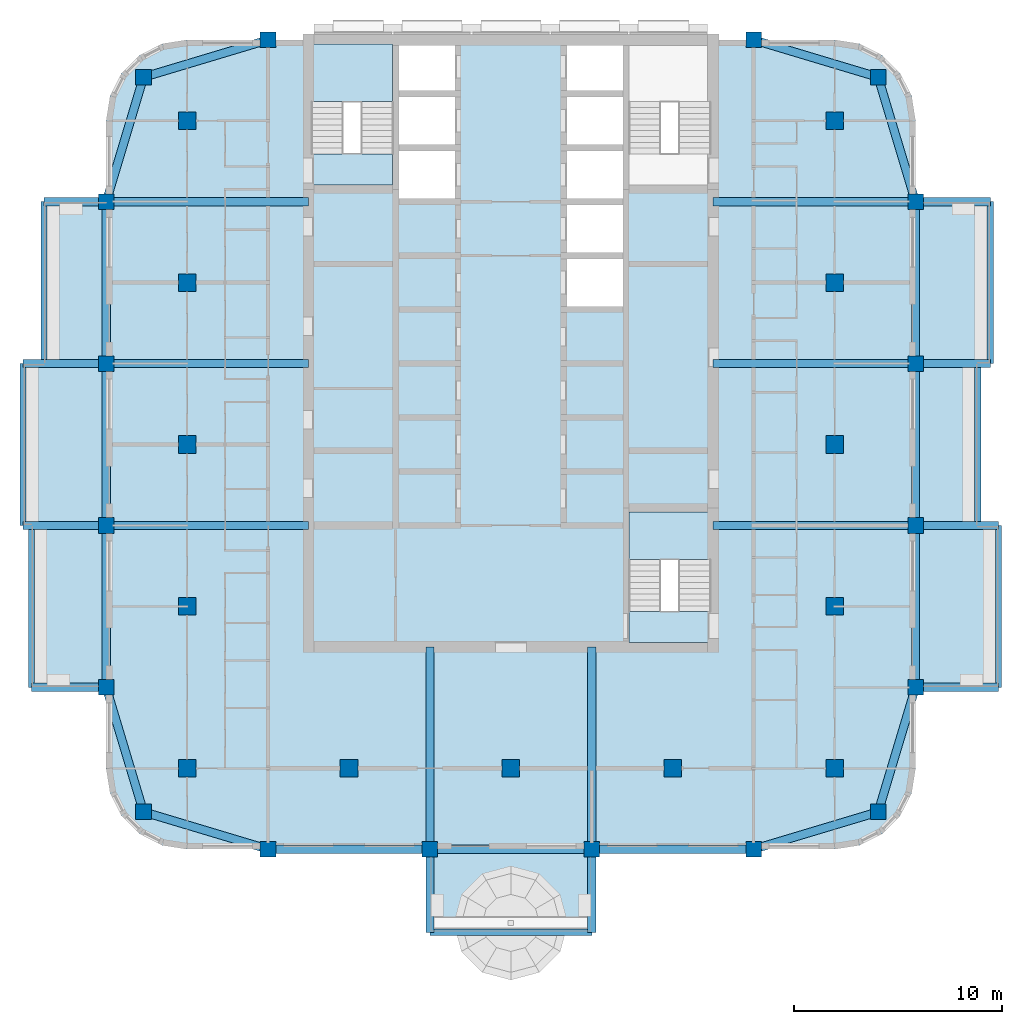
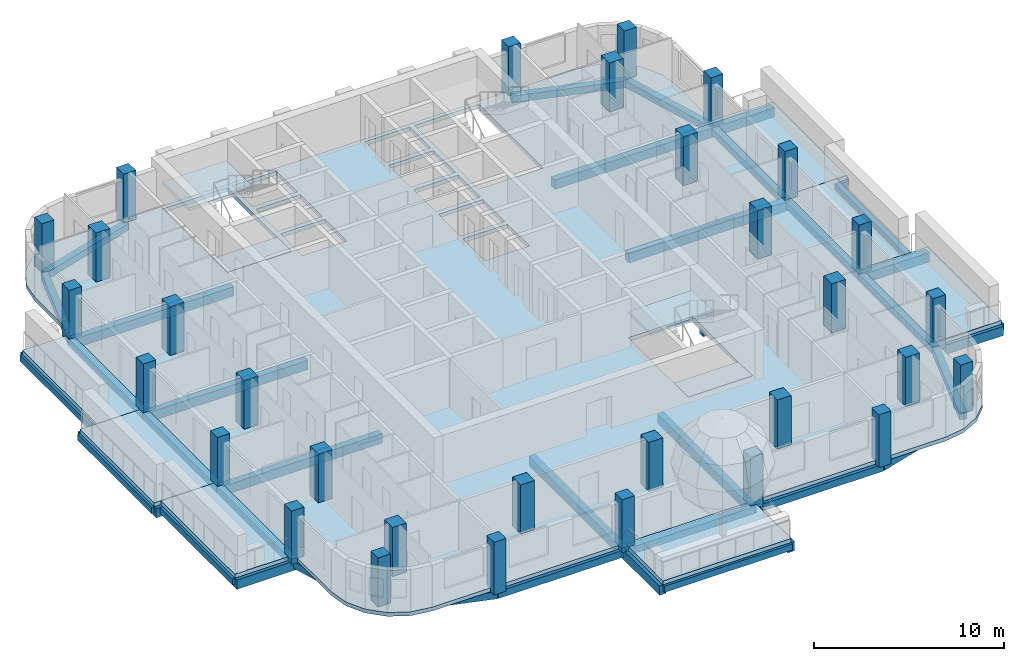
# One storey, part 1 of 14: 42 beams, 31 columns, 12 slabs, 2 elements without a shape of their own.
"""IFC4 building model written with IfcOpenShell, lengths in metres."""

from ifc_helpers import new_model, si_unit, direction, frame, origin, origin_2d, place, context, subcontext, project, spatial, polyline, rectangle, outline, extrude, material, layer, layer_set, material_profile, profile_set, type_object, element, aggregate, save


model = new_model("IFC4")

# Units and contexts
model_context = context("Model", 3, precision=1e-05, world=origin(), true_north=direction((0.0, 1.0)))
body_context = subcontext(model_context, "Body", "Model", "MODEL_VIEW")
ifc_project = project(units=[si_unit("LENGTHUNIT", "METRE"), si_unit("AREAUNIT", "SQUARE_METRE"), si_unit("VOLUMEUNIT", "CUBIC_METRE"), si_unit("PLANEANGLEUNIT", "RADIAN"), si_unit("MASSUNIT", "GRAM", prefix="KILO")], contexts=[model_context])

# Site, building, storey
site_placement = place(None, origin())
site = spatial("IfcSite", under=ifc_project, at=site_placement, CompositionType="ELEMENT")
building_placement = place(site_placement, origin())
building = spatial("IfcBuilding", under=site, at=building_placement, Name="Ludao Terraces", CompositionType="ELEMENT")
storey_placement = place(building_placement, frame((0.0, 0.0, 182.60009765625)))
storey = spatial("IfcBuildingStorey", under=building, at=storey_placement, Name="L49", CompositionType="ELEMENT", Elevation=182.60009765625)

# Columns
ifc_material_1 = material(Name="Concrete C45", Category="concrete")
ifc_material_profile_1 = material_profile(ifc_material_1, rectangle(XDim=0.75, YDim=0.75, at=origin_2d()), Name="750 X 750")
ifc_profile_set_1 = profile_set([ifc_material_profile_1], Name="Concrete C45")
column_type_1 = type_object("IfcColumnType", Name="RC column 750x750 C45", PredefinedType="COLUMN", material=ifc_profile_set_1)
for number, where, z_axis, x_axis, name in (
    (1, (67.300048828125, 47.300048828125, -0.25), (0.0, 0.0, 1.0), (1.0, 0.0, 0.0), "Column L49 C0057x0057"),
    (2, (102.699951171875, 47.300048828125, -0.25), (0.0, 0.0, 1.0), (1.0, 0.0, 0.0), "Column L49 C0411x0057"),
    (3, (67.300048828125, 82.699951171875, -0.25), (0.0, 0.0, 1.0), (1.0, 0.0, 0.0), "Column L49 C0057x0411"),
    (4, (102.699951171875, 82.699951171875, -0.25), (0.0, 0.0, 1.0), (1.0, 0.0, 0.0), "Column L49 C0411x0411"),
    (5, (65.5, 53.300048828125, -0.25), (0.0, 0.0, 1.0), (1.0, 0.0, 0.0), "Column L49 W0039x0117"),
    (6, (104.5, 53.300048828125, -0.25), (0.0, 0.0, 1.0), (1.0, 0.0, 0.0), "Column L49 W0429x0117"),
    (7, (73.300048828125, 45.5, -0.25), (0.0, 0.0, 1.0), (1.0, 0.0, 0.0), "Column L49 W0117x0039"),
    (8, (73.300048828125, 84.5, -0.25), (0.0, 0.0, 1.0), (1.0, 0.0, 0.0), "Column L49 W0117x0429"),
    (9, (65.5, 61.10009765625, -0.25), (0.0, 0.0, 1.0), (1.0, 0.0, 0.0), "Column L49 W0039x0195"),
    (10, (104.5, 61.10009765625, -0.25), (0.0, 0.0, 1.0), (1.0, 0.0, 0.0), "Column L49 W0429x0195"),
    (11, (81.10009765625, 45.5, -0.25), (0.0, 0.0, 1.0), (1.0, 0.0, 0.0), "Column L49 W0195x0039"),
    (12, (65.5, 68.89990234375, -0.25), (0.0, 0.0, 1.0), (1.0, 0.0, 0.0), "Column L49 W0039x0273"),
    (13, (104.5, 68.89990234375, -0.25), (0.0, 0.0, 1.0), (1.0, 0.0, 0.0), "Column L49 W0429x0273"),
    (14, (88.89990234375, 45.5, -0.25), (0.0, 0.0, 1.0), (1.0, 0.0, 0.0), "Column L49 W0273x0039"),
    (15, (65.5, 76.699951171875, -0.25), (0.0, 0.0, 1.0), (1.0, 0.0, 0.0), "Column L49 W0039x0351"),
    (16, (104.5, 76.699951171875, -0.25), (0.0, 0.0, 1.0), (1.0, 0.0, 0.0), "Column L49 W0429x0351"),
    (17, (96.699951171875, 45.5, -0.25), (0.0, 0.0, 1.0), (1.0, 0.0, 0.0), "Column L49 W0351x0039"),
    (18, (96.699951171875, 84.5, -0.25), (0.0, 0.0, 1.0), (1.0, 0.0, 0.0), "Column L49 W0351x0429"),
):
    element("IfcColumn", number, at=place(storey_placement, frame(where, z_axis=z_axis, x_axis=x_axis)), inside=storey, type_object=column_type_1, Name=name, PredefinedType="COLUMN", context=body_context, shape_type="SweptSolid", body=[
        extrude(rectangle(XDim=0.75, YDim=0.75, at=origin_2d()), origin(), (0.0, 0.0, 1.0), 3.39990234375),
    ])
ifc_material_profile_2 = material_profile(ifc_material_1, rectangle(XDim=0.85009765625, YDim=0.85009765625, at=origin_2d()), Name="850 X 850")
ifc_profile_set_2 = profile_set([ifc_material_profile_2], Name="Concrete C45")
column_type_2 = type_object("IfcColumnType", Name="RC column 850x850 C45", PredefinedType="COLUMN", material=ifc_profile_set_2)
for number, where, z_axis, x_axis, name in (
    (19, (69.39990234375, 49.39990234375, -0.25), (0.0, 0.0, 1.0), (1.0, 0.0, 0.0), "Column L49 S0078x0078"),
    (20, (69.39990234375, 57.199951171875, -0.25), (0.0, 0.0, 1.0), (1.0, 0.0, 0.0), "Column L49 S0078x0156"),
    (21, (69.39990234375, 65.0, -0.25), (0.0, 0.0, 1.0), (1.0, 0.0, 0.0), "Column L49 S0078x0234"),
    (22, (69.39990234375, 72.800048828125, -0.25), (0.0, 0.0, 1.0), (1.0, 0.0, 0.0), "Column L49 S0078x0312"),
    (23, (69.39990234375, 80.60009765625, -0.25), (0.0, 0.0, 1.0), (1.0, 0.0, 0.0), "Column L49 S0078x0390"),
    (24, (77.199951171875, 49.39990234375, -0.25), (0.0, 0.0, 1.0), (1.0, 0.0, 0.0), "Column L49 S0156x0078"),
    (25, (85.0, 49.39990234375, -0.25), (0.0, 0.0, 1.0), (1.0, 0.0, 0.0), "Column L49 S0234x0078"),
    (26, (92.800048828125, 49.39990234375, -0.25), (0.0, 0.0, 1.0), (1.0, 0.0, 0.0), "Column L49 S0312x0078"),
    (27, (100.60009765625, 49.39990234375, -0.25), (0.0, 0.0, 1.0), (1.0, 0.0, 0.0), "Column L49 S0390x0078"),
    (28, (100.60009765625, 57.199951171875, -0.25), (0.0, 0.0, 1.0), (1.0, 0.0, 0.0), "Column L49 S0390x0156"),
    (29, (100.60009765625, 65.0, -0.25), (0.0, 0.0, 1.0), (1.0, 0.0, 0.0), "Column L49 S0390x0234"),
    (30, (100.60009765625, 72.800048828125, -0.25), (0.0, 0.0, 1.0), (1.0, 0.0, 0.0), "Column L49 S0390x0312"),
    (31, (100.60009765625, 80.60009765625, -0.25), (0.0, 0.0, 1.0), (1.0, 0.0, 0.0), "Column L49 S0390x0390"),
):
    element("IfcColumn", number, at=place(storey_placement, frame(where, z_axis=z_axis, x_axis=x_axis)), inside=storey, type_object=column_type_2, Name=name, PredefinedType="COLUMN", context=body_context, shape_type="SweptSolid", body=[
        extrude(rectangle(XDim=0.85009765625, YDim=0.85009765625, at=origin_2d()), origin(), (0.0, 0.0, 1.0), 3.39990234375),
    ])

# Beams
ifc_material_2 = material(Name="Concrete C40", Category="concrete")
ifc_material_profile_3 = material_profile(ifc_material_2, rectangle(XDim=0.300048828125, YDim=0.39990234375, at=origin_2d()), Name="300 X 400")
ifc_profile_set_3 = profile_set([ifc_material_profile_3], Name="Concrete C40")
beam_type_1 = type_object("IfcBeamType", Name="RC beam 300x400 C40", PredefinedType="BEAM", material=ifc_profile_set_3)
beam_1_placement = place(storey_placement, frame((81.10009765625, 41.5, -0.4501953125), z_axis=(1.0, 0.0, 0.0), x_axis=(0.0, 1.0, 0.0)))
element("IfcBeam", 32, at=beam_1_placement, inside=storey, type_object=beam_type_1, Name="Balcony edge beam L49 S1", PredefinedType="BEAM", context=body_context, shape_type="SweptSolid", body=[
    extrude(rectangle(XDim=0.300048828125, YDim=0.39990234375, at=origin_2d()), origin(), (0.0, 0.0, 1.0), 7.7998046875),
])
beam_2_placement = place(storey_placement, frame((108.5, 53.300048828125, -0.4501953125), z_axis=(0.0, 1.0, 0.0), x_axis=(-1.0, 0.0, 0.0)))
element("IfcBeam", 33, at=beam_2_placement, inside=storey, type_object=beam_type_1, Name="Balcony edge beam L49 E1", PredefinedType="BEAM", context=body_context, shape_type="SweptSolid", body=[
    extrude(rectangle(XDim=0.300048828125, YDim=0.39990234375, at=origin_2d()), origin(), (0.0, 0.0, 1.0), 7.800048828125),
])
beam_3_placement = place(storey_placement, frame((107.5, 61.10009765625, -0.4501953125), z_axis=(0.0, 1.0, 0.0), x_axis=(-1.0, 0.0, 0.0)))
element("IfcBeam", 34, at=beam_3_placement, inside=storey, type_object=beam_type_1, Name="Balcony edge beam L49 E2", PredefinedType="BEAM", context=body_context, shape_type="SweptSolid", body=[
    extrude(rectangle(XDim=0.300048828125, YDim=0.39990234375, at=origin_2d()), origin(), (0.0, 0.0, 1.0), 7.7998046875),
])
for number, where, z_axis, x_axis, name in (
    (35, (108.10009765625, 68.89990234375, -0.4501953125), (0.0, 1.0, 0.0), (-1.0, 0.0, 0.0), "Balcony edge beam L49 E3"),
    (36, (61.89990234375, 53.300048828125, -0.4501953125), (0.0, 1.0, 0.0), (-1.0, 0.0, 0.0), "Balcony edge beam L49 W1"),
):
    element("IfcBeam", number, at=place(storey_placement, frame(where, z_axis=z_axis, x_axis=x_axis)), inside=storey, type_object=beam_type_1, Name=name, PredefinedType="BEAM", context=body_context, shape_type="SweptSolid", body=[
        extrude(rectangle(XDim=0.300048828125, YDim=0.39990234375, at=origin_2d()), origin(), (0.0, 0.0, 1.0), 7.800048828125),
    ])
beam_4_placement = place(storey_placement, frame((61.5, 61.10009765625, -0.4501953125), z_axis=(0.0, 1.0, 0.0), x_axis=(-1.0, 0.0, 0.0)))
element("IfcBeam", 37, at=beam_4_placement, inside=storey, type_object=beam_type_1, Name="Balcony edge beam L49 W2", PredefinedType="BEAM", context=body_context, shape_type="SweptSolid", body=[
    extrude(rectangle(XDim=0.300048828125, YDim=0.39990234375, at=origin_2d()), origin(), (0.0, 0.0, 1.0), 7.7998046875),
])
beam_5_placement = place(storey_placement, frame((62.5, 68.89990234375, -0.4501953125), z_axis=(0.0, 1.0, 0.0), x_axis=(-1.0, 0.0, 0.0)))
element("IfcBeam", 38, at=beam_5_placement, inside=storey, type_object=beam_type_1, Name="Balcony edge beam L49 W3", PredefinedType="BEAM", context=body_context, shape_type="SweptSolid", body=[
    extrude(rectangle(XDim=0.300048828125, YDim=0.39990234375, at=origin_2d()), origin(), (0.0, 0.0, 1.0), 7.800048828125),
])
ifc_material_profile_4 = material_profile(ifc_material_2, rectangle(XDim=0.39990234375, YDim=0.449951171875, at=origin_2d()), Name="400 X 450")
ifc_profile_set_4 = profile_set([ifc_material_profile_4], Name="Concrete C40")
beam_type_2 = type_object("IfcBeamType", Name="RC beam 400x450 C40", PredefinedType="BEAM", material=ifc_profile_set_4)
beam_6_placement = place(storey_placement, frame((67.300048828125, 47.300048828125, -0.47509765625), z_axis=(0.957824139839, -0.287355036744, 0.0), x_axis=(0.287355036744, 0.957824139839, 0.0)))
element("IfcBeam", 39, at=beam_6_placement, inside=storey, type_object=beam_type_2, Name="Spandrel beam L49 S1", PredefinedType="BEAM", context=body_context, shape_type="SweptSolid", body=[
    extrude(rectangle(XDim=0.39990234375, YDim=0.449951171875, at=origin_2d()), origin(), (0.0, 0.0, 1.0), 6.26416015625),
])
beam_7_placement = place(storey_placement, frame((73.300048828125, 45.5, -0.47509765625), z_axis=(1.0, 0.0, 0.0), x_axis=(0.0, 1.0, 0.0)))
element("IfcBeam", 40, at=beam_7_placement, inside=storey, type_object=beam_type_2, Name="Spandrel beam L49 S2", PredefinedType="BEAM", context=body_context, shape_type="SweptSolid", body=[
    extrude(rectangle(XDim=0.39990234375, YDim=0.449951171875, at=origin_2d()), origin(), (0.0, 0.0, 1.0), 7.800048828125),
])
beam_8_placement = place(storey_placement, frame((81.10009765625, 45.5, -0.47509765625), z_axis=(1.0, 0.0, 0.0), x_axis=(0.0, 1.0, 0.0)))
element("IfcBeam", 41, at=beam_8_placement, inside=storey, type_object=beam_type_2, Name="Spandrel beam L49 S3", PredefinedType="BEAM", context=body_context, shape_type="SweptSolid", body=[
    extrude(rectangle(XDim=0.39990234375, YDim=0.449951171875, at=origin_2d()), origin(), (0.0, 0.0, 1.0), 7.7998046875),
])
beam_9_placement = place(storey_placement, frame((88.89990234375, 45.5, -0.47509765625), z_axis=(1.0, 0.0, 0.0), x_axis=(0.0, 1.0, 0.0)))
element("IfcBeam", 42, at=beam_9_placement, inside=storey, type_object=beam_type_2, Name="Spandrel beam L49 S4", PredefinedType="BEAM", context=body_context, shape_type="SweptSolid", body=[
    extrude(rectangle(XDim=0.39990234375, YDim=0.449951171875, at=origin_2d()), origin(), (0.0, 0.0, 1.0), 7.800048828125),
])
for number, where, z_axis, x_axis, name in (
    (43, (96.699951171875, 45.5, -0.47509765625), (0.957824139839, 0.287355036744, 0.0), (-0.287355036744, 0.957824139839, 0.0), "Spandrel beam L49 S5"),
    (44, (67.300048828125, 82.699951171875, -0.47509765625), (0.957824139839, 0.287355036744, 0.0), (-0.287355036744, 0.957824139839, 0.0), "Spandrel beam L49 N6"),
    (45, (96.699951171875, 84.5, -0.47509765625), (0.957824139839, -0.287355036744, 0.0), (0.287355036744, 0.957824139839, 0.0), "Spandrel beam L49 N7"),
    (46, (67.300048828125, 47.300048828125, -0.47509765625), (-0.287355036744, 0.957824139839, 0.0), (-0.957824139839, -0.287355036744, 0.0), "Spandrel beam L49 W8"),
):
    element("IfcBeam", number, at=place(storey_placement, frame(where, z_axis=z_axis, x_axis=x_axis)), inside=storey, type_object=beam_type_2, Name=name, PredefinedType="BEAM", context=body_context, shape_type="SweptSolid", body=[
        extrude(rectangle(XDim=0.39990234375, YDim=0.449951171875, at=origin_2d()), origin(), (0.0, 0.0, 1.0), 6.26416015625),
    ])
beam_10_placement = place(storey_placement, frame((65.5, 53.300048828125, -0.47509765625), z_axis=(0.0, 1.0, 0.0), x_axis=(-1.0, 0.0, 0.0)))
element("IfcBeam", 47, at=beam_10_placement, inside=storey, type_object=beam_type_2, Name="Spandrel beam L49 W9", PredefinedType="BEAM", context=body_context, shape_type="SweptSolid", body=[
    extrude(rectangle(XDim=0.39990234375, YDim=0.449951171875, at=origin_2d()), origin(), (0.0, 0.0, 1.0), 7.800048828125),
])
beam_11_placement = place(storey_placement, frame((65.5, 61.10009765625, -0.47509765625), z_axis=(0.0, 1.0, 0.0), x_axis=(-1.0, 0.0, 0.0)))
element("IfcBeam", 48, at=beam_11_placement, inside=storey, type_object=beam_type_2, Name="Spandrel beam L49 W10", PredefinedType="BEAM", context=body_context, shape_type="SweptSolid", body=[
    extrude(rectangle(XDim=0.39990234375, YDim=0.449951171875, at=origin_2d()), origin(), (0.0, 0.0, 1.0), 7.7998046875),
])
beam_12_placement = place(storey_placement, frame((65.5, 68.89990234375, -0.47509765625), z_axis=(0.0, 1.0, 0.0), x_axis=(-1.0, 0.0, 0.0)))
element("IfcBeam", 49, at=beam_12_placement, inside=storey, type_object=beam_type_2, Name="Spandrel beam L49 W11", PredefinedType="BEAM", context=body_context, shape_type="SweptSolid", body=[
    extrude(rectangle(XDim=0.39990234375, YDim=0.449951171875, at=origin_2d()), origin(), (0.0, 0.0, 1.0), 7.800048828125),
])
for number, where, z_axis, x_axis, name in (
    (50, (65.5, 76.699951171875, -0.47509765625), (0.287355036744, 0.957824139839, 0.0), (-0.957824139839, 0.287355036744, 0.0), "Spandrel beam L49 W12"),
    (51, (102.699951171875, 47.300048828125, -0.47509765625), (0.287355036744, 0.957824139839, 0.0), (-0.957824139839, 0.287355036744, 0.0), "Spandrel beam L49 E13"),
):
    element("IfcBeam", number, at=place(storey_placement, frame(where, z_axis=z_axis, x_axis=x_axis)), inside=storey, type_object=beam_type_2, Name=name, PredefinedType="BEAM", context=body_context, shape_type="SweptSolid", body=[
        extrude(rectangle(XDim=0.39990234375, YDim=0.449951171875, at=origin_2d()), origin(), (0.0, 0.0, 1.0), 6.26416015625),
    ])
beam_13_placement = place(storey_placement, frame((104.5, 53.300048828125, -0.47509765625), z_axis=(0.0, 1.0, 0.0), x_axis=(-1.0, 0.0, 0.0)))
element("IfcBeam", 52, at=beam_13_placement, inside=storey, type_object=beam_type_2, Name="Spandrel beam L49 E14", PredefinedType="BEAM", context=body_context, shape_type="SweptSolid", body=[
    extrude(rectangle(XDim=0.39990234375, YDim=0.449951171875, at=origin_2d()), origin(), (0.0, 0.0, 1.0), 7.800048828125),
])
beam_14_placement = place(storey_placement, frame((104.5, 61.10009765625, -0.47509765625), z_axis=(0.0, 1.0, 0.0), x_axis=(-1.0, 0.0, 0.0)))
element("IfcBeam", 53, at=beam_14_placement, inside=storey, type_object=beam_type_2, Name="Spandrel beam L49 E15", PredefinedType="BEAM", context=body_context, shape_type="SweptSolid", body=[
    extrude(rectangle(XDim=0.39990234375, YDim=0.449951171875, at=origin_2d()), origin(), (0.0, 0.0, 1.0), 7.7998046875),
])
beam_15_placement = place(storey_placement, frame((104.5, 68.89990234375, -0.47509765625), z_axis=(0.0, 1.0, 0.0), x_axis=(-1.0, 0.0, 0.0)))
element("IfcBeam", 54, at=beam_15_placement, inside=storey, type_object=beam_type_2, Name="Spandrel beam L49 E16", PredefinedType="BEAM", context=body_context, shape_type="SweptSolid", body=[
    extrude(rectangle(XDim=0.39990234375, YDim=0.449951171875, at=origin_2d()), origin(), (0.0, 0.0, 1.0), 7.800048828125),
])
beam_16_placement = place(storey_placement, frame((104.5, 76.699951171875, -0.47509765625), z_axis=(-0.287355036744, 0.957824139839, 0.0), x_axis=(-0.957824139839, -0.287355036744, 0.0)))
element("IfcBeam", 55, at=beam_16_placement, inside=storey, type_object=beam_type_2, Name="Spandrel beam L49 E17", PredefinedType="BEAM", context=body_context, shape_type="SweptSolid", body=[
    extrude(rectangle(XDim=0.39990234375, YDim=0.449951171875, at=origin_2d()), origin(), (0.0, 0.0, 1.0), 6.26416015625),
])
ifc_material_profile_5 = material_profile(ifc_material_2, rectangle(XDim=0.39990234375, YDim=0.60009765625, at=origin_2d()), Name="400 X 600")
ifc_profile_set_5 = profile_set([ifc_material_profile_5], Name="Concrete C40")
beam_type_3 = type_object("IfcBeamType", Name="RC beam 400x600 C40", PredefinedType="BEAM", material=ifc_profile_set_5)
beam_17_placement = place(storey_placement, frame((104.5, 53.300048828125, -0.550048828125), z_axis=(1.0, 0.0, 0.0), x_axis=(0.0, 1.0, 0.0)))
element("IfcBeam", 56, at=beam_17_placement, inside=storey, type_object=beam_type_3, Name="Balcony beam L49 E533", PredefinedType="BEAM", context=body_context, shape_type="SweptSolid", body=[
    extrude(rectangle(XDim=0.39990234375, YDim=0.60009765625, at=origin_2d()), origin(), (0.0, 0.0, 1.0), 4.0),
])
beam_18_placement = place(storey_placement, frame((94.75, 61.10009765625, -0.550048828125), z_axis=(1.0, 0.0, 0.0), x_axis=(0.0, 1.0, 0.0)))
element("IfcBeam", 57, at=beam_18_placement, inside=storey, type_object=beam_type_3, Name="Balcony beam L49 E611", PredefinedType="BEAM", context=body_context, shape_type="SweptSolid", body=[
    extrude(rectangle(XDim=0.39990234375, YDim=0.60009765625, at=origin_2d()), origin(), (0.0, 0.0, 1.0), 9.75),
])
beam_19_placement = place(storey_placement, frame((104.5, 61.10009765625, -0.550048828125), z_axis=(1.0, 0.0, 0.0), x_axis=(0.0, 1.0, 0.0)))
element("IfcBeam", 58, at=beam_19_placement, inside=storey, type_object=beam_type_3, Name="Balcony beam L49 E611", PredefinedType="BEAM", context=body_context, shape_type="SweptSolid", body=[
    extrude(rectangle(XDim=0.39990234375, YDim=0.60009765625, at=origin_2d()), origin(), (0.0, 0.0, 1.0), 4.0),
])
beam_20_placement = place(storey_placement, frame((94.75, 68.89990234375, -0.550048828125), z_axis=(1.0, 0.0, 0.0), x_axis=(0.0, 1.0, 0.0)))
element("IfcBeam", 59, at=beam_20_placement, inside=storey, type_object=beam_type_3, Name="Balcony beam L49 E689", PredefinedType="BEAM", context=body_context, shape_type="SweptSolid", body=[
    extrude(rectangle(XDim=0.39990234375, YDim=0.60009765625, at=origin_2d()), origin(), (0.0, 0.0, 1.0), 9.75),
])
beam_21_placement = place(storey_placement, frame((104.5, 68.89990234375, -0.550048828125), z_axis=(1.0, 0.0, 0.0), x_axis=(0.0, 1.0, 0.0)))
element("IfcBeam", 60, at=beam_21_placement, inside=storey, type_object=beam_type_3, Name="Balcony beam L49 E689", PredefinedType="BEAM", context=body_context, shape_type="SweptSolid", body=[
    extrude(rectangle(XDim=0.39990234375, YDim=0.60009765625, at=origin_2d()), origin(), (0.0, 0.0, 1.0), 3.60009765625),
])
beam_22_placement = place(storey_placement, frame((94.75, 76.699951171875, -0.550048828125), z_axis=(1.0, 0.0, 0.0), x_axis=(0.0, 1.0, 0.0)))
element("IfcBeam", 61, at=beam_22_placement, inside=storey, type_object=beam_type_3, Name="Balcony beam L49 E767", PredefinedType="BEAM", context=body_context, shape_type="SweptSolid", body=[
    extrude(rectangle(XDim=0.39990234375, YDim=0.60009765625, at=origin_2d()), origin(), (0.0, 0.0, 1.0), 9.75),
])
beam_23_placement = place(storey_placement, frame((104.5, 76.699951171875, -0.550048828125), z_axis=(1.0, 0.0, 0.0), x_axis=(0.0, 1.0, 0.0)))
element("IfcBeam", 62, at=beam_23_placement, inside=storey, type_object=beam_type_3, Name="Balcony beam L49 E767", PredefinedType="BEAM", context=body_context, shape_type="SweptSolid", body=[
    extrude(rectangle(XDim=0.39990234375, YDim=0.60009765625, at=origin_2d()), origin(), (0.0, 0.0, 1.0), 3.60009765625),
])
beam_24_placement = place(storey_placement, frame((81.10009765625, 55.25, -0.550048828125), z_axis=(0.0, -1.0, 0.0), x_axis=(1.0, 0.0, 0.0)))
element("IfcBeam", 63, at=beam_24_placement, inside=storey, type_object=beam_type_3, Name="Balcony beam L49 S811", PredefinedType="BEAM", context=body_context, shape_type="SweptSolid", body=[
    extrude(rectangle(XDim=0.39990234375, YDim=0.60009765625, at=origin_2d()), origin(), (0.0, 0.0, 1.0), 9.75),
])
beam_25_placement = place(storey_placement, frame((81.10009765625, 45.5, -0.550048828125), z_axis=(0.0, -1.0, 0.0), x_axis=(1.0, 0.0, 0.0)))
element("IfcBeam", 64, at=beam_25_placement, inside=storey, type_object=beam_type_3, Name="Balcony beam L49 S811", PredefinedType="BEAM", context=body_context, shape_type="SweptSolid", body=[
    extrude(rectangle(XDim=0.39990234375, YDim=0.60009765625, at=origin_2d()), origin(), (0.0, 0.0, 1.0), 4.0),
])
beam_26_placement = place(storey_placement, frame((88.89990234375, 55.25, -0.550048828125), z_axis=(0.0, -1.0, 0.0), x_axis=(1.0, 0.0, 0.0)))
element("IfcBeam", 65, at=beam_26_placement, inside=storey, type_object=beam_type_3, Name="Balcony beam L49 S889", PredefinedType="BEAM", context=body_context, shape_type="SweptSolid", body=[
    extrude(rectangle(XDim=0.39990234375, YDim=0.60009765625, at=origin_2d()), origin(), (0.0, 0.0, 1.0), 9.75),
])
beam_27_placement = place(storey_placement, frame((88.89990234375, 45.5, -0.550048828125), z_axis=(0.0, -1.0, 0.0), x_axis=(1.0, 0.0, 0.0)))
element("IfcBeam", 66, at=beam_27_placement, inside=storey, type_object=beam_type_3, Name="Balcony beam L49 S889", PredefinedType="BEAM", context=body_context, shape_type="SweptSolid", body=[
    extrude(rectangle(XDim=0.39990234375, YDim=0.60009765625, at=origin_2d()), origin(), (0.0, 0.0, 1.0), 4.0),
])
beam_28_placement = place(storey_placement, frame((65.5, 53.300048828125, -0.550048828125), z_axis=(-1.0, 0.0, 0.0), x_axis=(0.0, -1.0, 0.0)))
element("IfcBeam", 67, at=beam_28_placement, inside=storey, type_object=beam_type_3, Name="Balcony beam L49 W533", PredefinedType="BEAM", context=body_context, shape_type="SweptSolid", body=[
    extrude(rectangle(XDim=0.39990234375, YDim=0.60009765625, at=origin_2d()), origin(), (0.0, 0.0, 1.0), 3.60009765625),
])
beam_29_placement = place(storey_placement, frame((75.25, 61.10009765625, -0.550048828125), z_axis=(-1.0, 0.0, 0.0), x_axis=(0.0, -1.0, 0.0)))
element("IfcBeam", 68, at=beam_29_placement, inside=storey, type_object=beam_type_3, Name="Balcony beam L49 W611", PredefinedType="BEAM", context=body_context, shape_type="SweptSolid", body=[
    extrude(rectangle(XDim=0.39990234375, YDim=0.60009765625, at=origin_2d()), origin(), (0.0, 0.0, 1.0), 9.75),
])
beam_30_placement = place(storey_placement, frame((65.5, 61.10009765625, -0.550048828125), z_axis=(-1.0, 0.0, 0.0), x_axis=(0.0, -1.0, 0.0)))
element("IfcBeam", 69, at=beam_30_placement, inside=storey, type_object=beam_type_3, Name="Balcony beam L49 W611", PredefinedType="BEAM", context=body_context, shape_type="SweptSolid", body=[
    extrude(rectangle(XDim=0.39990234375, YDim=0.60009765625, at=origin_2d()), origin(), (0.0, 0.0, 1.0), 4.0),
])
beam_31_placement = place(storey_placement, frame((75.25, 68.89990234375, -0.550048828125), z_axis=(-1.0, 0.0, 0.0), x_axis=(0.0, -1.0, 0.0)))
element("IfcBeam", 70, at=beam_31_placement, inside=storey, type_object=beam_type_3, Name="Balcony beam L49 W689", PredefinedType="BEAM", context=body_context, shape_type="SweptSolid", body=[
    extrude(rectangle(XDim=0.39990234375, YDim=0.60009765625, at=origin_2d()), origin(), (0.0, 0.0, 1.0), 9.75),
])
beam_32_placement = place(storey_placement, frame((65.5, 68.89990234375, -0.550048828125), z_axis=(-1.0, 0.0, 0.0), x_axis=(0.0, -1.0, 0.0)))
element("IfcBeam", 71, at=beam_32_placement, inside=storey, type_object=beam_type_3, Name="Balcony beam L49 W689", PredefinedType="BEAM", context=body_context, shape_type="SweptSolid", body=[
    extrude(rectangle(XDim=0.39990234375, YDim=0.60009765625, at=origin_2d()), origin(), (0.0, 0.0, 1.0), 4.0),
])
beam_33_placement = place(storey_placement, frame((75.25, 76.699951171875, -0.550048828125), z_axis=(-1.0, 0.0, 0.0), x_axis=(0.0, -1.0, 0.0)))
element("IfcBeam", 72, at=beam_33_placement, inside=storey, type_object=beam_type_3, Name="Balcony beam L49 W767", PredefinedType="BEAM", context=body_context, shape_type="SweptSolid", body=[
    extrude(rectangle(XDim=0.39990234375, YDim=0.60009765625, at=origin_2d()), origin(), (0.0, 0.0, 1.0), 9.75),
])
beam_34_placement = place(storey_placement, frame((65.5, 76.699951171875, -0.550048828125), z_axis=(-1.0, 0.0, 0.0), x_axis=(0.0, -1.0, 0.0)))
element("IfcBeam", 73, at=beam_34_placement, inside=storey, type_object=beam_type_3, Name="Balcony beam L49 W767", PredefinedType="BEAM", context=body_context, shape_type="SweptSolid", body=[
    extrude(rectangle(XDim=0.39990234375, YDim=0.60009765625, at=origin_2d()), origin(), (0.0, 0.0, 1.0), 3.0),
])

# Slabs
ifc_layer_1 = layer(ifc_material_2, 0.25)
ifc_layer_set_1 = layer_set([ifc_layer_1], Name="Balcony slab 250 C40")
slab_type_1 = type_object("IfcSlabType", Name="Balcony slab 250 C40", PredefinedType="USERDEFINED", material=ifc_layer_set_1)
slab_1_placement = place(storey_placement, frame((0.0, 0.0, -0.25)))
element("IfcSlab", 74, at=slab_1_placement, inside=storey, type_object=slab_type_1, Name="Balcony L49 S1", ObjectType="BALCONY", PredefinedType="USERDEFINED", context=body_context, shape_type="SweptSolid", body=[
    extrude(outline(polyline([(81.10009765625, 41.5), (88.89990234375, 41.5), (88.89990234375, 45.5), (81.10009765625, 45.5), (81.10009765625, 41.5)])), origin(), (0.0, 0.0, 1.0), 0.25),
])
slab_2_placement = place(storey_placement, frame((0.0, 0.0, -0.25)))
element("IfcSlab", 75, at=slab_2_placement, inside=storey, type_object=slab_type_1, Name="Balcony L49 E1", ObjectType="BALCONY", PredefinedType="USERDEFINED", context=body_context, shape_type="SweptSolid", body=[
    extrude(outline(polyline([(104.5, 53.300048828125), (108.5, 53.300048828125), (108.5, 61.10009765625), (104.5, 61.10009765625), (104.5, 53.300048828125)])), origin(), (0.0, 0.0, 1.0), 0.25),
])
slab_3_placement = place(storey_placement, frame((0.0, 0.0, -0.25)))
element("IfcSlab", 76, at=slab_3_placement, inside=storey, type_object=slab_type_1, Name="Balcony L49 E2", ObjectType="BALCONY", PredefinedType="USERDEFINED", context=body_context, shape_type="SweptSolid", body=[
    extrude(outline(polyline([(104.5, 61.10009765625), (107.5, 61.10009765625), (107.5, 68.89990234375), (104.5, 68.89990234375), (104.5, 61.10009765625)])), origin(), (0.0, 0.0, 1.0), 0.25),
])
slab_4_placement = place(storey_placement, frame((0.0, 0.0, -0.25)))
element("IfcSlab", 77, at=slab_4_placement, inside=storey, type_object=slab_type_1, Name="Balcony L49 E3", ObjectType="BALCONY", PredefinedType="USERDEFINED", context=body_context, shape_type="SweptSolid", body=[
    extrude(outline(polyline([(104.5, 68.89990234375), (108.10009765625, 68.89990234375), (108.10009765625, 76.699951171875), (104.5, 76.699951171875), (104.5, 68.89990234375)])), origin(), (0.0, 0.0, 1.0), 0.25),
])
slab_5_placement = place(storey_placement, frame((0.0, 0.0, -0.25)))
element("IfcSlab", 78, at=slab_5_placement, inside=storey, type_object=slab_type_1, Name="Balcony L49 W1", ObjectType="BALCONY", PredefinedType="USERDEFINED", context=body_context, shape_type="SweptSolid", body=[
    extrude(outline(polyline([(61.89990234375, 53.300048828125), (65.5, 53.300048828125), (65.5, 61.10009765625), (61.89990234375, 61.10009765625), (61.89990234375, 53.300048828125)])), origin(), (0.0, 0.0, 1.0), 0.25),
])
slab_6_placement = place(storey_placement, frame((0.0, 0.0, -0.25)))
element("IfcSlab", 79, at=slab_6_placement, inside=storey, type_object=slab_type_1, Name="Balcony L49 W2", ObjectType="BALCONY", PredefinedType="USERDEFINED", context=body_context, shape_type="SweptSolid", body=[
    extrude(outline(polyline([(61.5, 61.10009765625), (65.5, 61.10009765625), (65.5, 68.89990234375), (61.5, 68.89990234375), (61.5, 61.10009765625)])), origin(), (0.0, 0.0, 1.0), 0.25),
])
slab_7_placement = place(storey_placement, frame((0.0, 0.0, -0.25)))
element("IfcSlab", 80, at=slab_7_placement, inside=storey, type_object=slab_type_1, Name="Balcony L49 W3", ObjectType="BALCONY", PredefinedType="USERDEFINED", context=body_context, shape_type="SweptSolid", body=[
    extrude(outline(polyline([(62.5, 68.89990234375), (65.5, 68.89990234375), (65.5, 76.699951171875), (62.5, 76.699951171875), (62.5, 68.89990234375)])), origin(), (0.0, 0.0, 1.0), 0.25),
])
ifc_layer_2 = layer(ifc_material_2, 0.25)
ifc_layer_set_2 = layer_set([ifc_layer_2], Name="Floor slab 250 C40")
slab_type_2 = type_object("IfcSlabType", Name="Floor slab 250 C40", PredefinedType="FLOOR", material=ifc_layer_set_2)
slab_8_placement = place(storey_placement, frame((0.0, 0.0, -0.25)))
element("IfcSlab", 81, at=slab_8_placement, inside=storey, type_object=slab_type_2, Name="Slab L49", PredefinedType="FLOOR", context=body_context, shape_type="SweptSolid", body=[
    extrude(outline(polyline([(100.60009765625, 45.5), (101.80517578125, 45.69091796875), (102.892333984375, 46.244873046875), (103.755126953125, 47.107666015625), (104.30908203125, 48.19482421875), (104.5, 49.39990234375), (104.5, 80.60009765625), (104.30908203125, 81.80517578125), (103.755126953125, 82.892333984375), (102.892333984375, 83.755126953125), (101.80517578125, 84.30908203125), (100.60009765625, 84.5), (69.39990234375, 84.5), (68.19482421875, 84.30908203125), (67.107666015625, 83.755126953125), (66.244873046875, 82.892333984375), (65.69091796875, 81.80517578125), (65.5, 80.60009765625), (65.5, 49.39990234375), (65.69091796875, 48.19482421875), (66.244873046875, 47.107666015625), (67.107666015625, 46.244873046875), (68.19482421875, 45.69091796875), (69.39990234375, 45.5), (100.60009765625, 45.5)]), holes=[polyline([(79.60009765625, 76.85009765625), (82.300048828125, 76.85009765625), (82.300048828125, 79.14990234375), (79.60009765625, 79.14990234375), (79.60009765625, 76.85009765625)]), polyline([(79.60009765625, 79.449951171875), (82.300048828125, 79.449951171875), (82.300048828125, 81.75), (79.60009765625, 81.75), (79.60009765625, 79.449951171875)]), polyline([(79.60009765625, 82.050048828125), (82.300048828125, 82.050048828125), (82.300048828125, 84.239990234375), (79.60009765625, 84.239990234375), (79.60009765625, 82.050048828125)]), polyline([(87.699951171875, 71.64990234375), (90.39990234375, 71.64990234375), (90.39990234375, 73.949951171875), (87.699951171875, 73.949951171875), (87.699951171875, 71.64990234375)]), polyline([(87.699951171875, 74.25), (90.39990234375, 74.25), (90.39990234375, 76.550048828125), (87.699951171875, 76.550048828125), (87.699951171875, 74.25)]), polyline([(87.699951171875, 76.85009765625), (90.39990234375, 76.85009765625), (90.39990234375, 79.14990234375), (87.699951171875, 79.14990234375), (87.699951171875, 76.85009765625)]), polyline([(87.699951171875, 79.449951171875), (90.39990234375, 79.449951171875), (90.39990234375, 81.75), (87.699951171875, 81.75), (87.699951171875, 79.449951171875)]), polyline([(87.699951171875, 82.050048828125), (90.39990234375, 82.050048828125), (90.39990234375, 84.239990234375), (87.699951171875, 84.239990234375), (87.699951171875, 82.050048828125)]), polyline([(75.39990234375, 77.5), (79.300048828125, 77.5), (79.300048828125, 84.239990234375), (75.39990234375, 84.239990234375), (75.39990234375, 77.5)]), polyline([(90.699951171875, 77.5), (94.60009765625, 77.5), (94.60009765625, 84.239990234375), (90.699951171875, 84.239990234375), (90.699951171875, 77.5)]), polyline([(90.699951171875, 55.449951171875), (94.60009765625, 55.449951171875), (94.60009765625, 61.75), (90.699951171875, 61.75), (90.699951171875, 55.449951171875)])]), origin(), (0.0, 0.0, 1.0), 0.25),
])

# Stair, slabs
stair_type = type_object("IfcStairType", Name="INT Stair", PredefinedType="HALF_TURN_STAIR", material=ifc_material_2)
stair_1_placement = place(storey_placement, origin())
stair_1 = element("IfcStair", 82, at=stair_1_placement, inside=storey, type_object=stair_type, Name="EXIT STAIR 1", PredefinedType="HALF_TURN_STAIR")
ifc_layer_3 = layer(ifc_material_2, 0.199951171875)
ifc_layer_set_3 = layer_set([ifc_layer_3], Name="INT Stair landing 200")
slab_type_3 = type_object("IfcSlabType", Name="INT Stair landing 200", PredefinedType="LANDING", material=ifc_layer_set_3)
slab_9_placement = place(storey_placement, frame((0.0, 0.0, 1.5)))
slab_9 = element("IfcSlab", 83, at=slab_9_placement, type_object=slab_type_3, Name="ST1 landing 1", PredefinedType="LANDING", context=body_context, shape_type="SweptSolid", body=[
    extrude(outline(polyline([(75.39990234375, 81.52001953125), (79.300048828125, 81.52001953125), (79.300048828125, 84.300048828125), (75.39990234375, 84.300048828125), (75.39990234375, 81.52001953125)])), origin(), (0.0, 0.0, 1.0), 0.199951171875),
])
slab_10_placement = place(storey_placement, frame((0.0, 0.0, -0.2001953125)))
slab_10 = element("IfcSlab", 84, at=slab_10_placement, type_object=slab_type_3, Name="ST1 landing 2", PredefinedType="LANDING", context=body_context, shape_type="SweptSolid", body=[
    extrude(outline(polyline([(75.39990234375, 77.5), (79.300048828125, 77.5), (79.300048828125, 79.0), (75.39990234375, 79.0), (75.39990234375, 77.5)])), origin(), (0.0, 0.0, 1.0), 0.2001953125),
])
aggregate(stair_1, [slab_9, slab_10])

stair_2_placement = place(storey_placement, origin())
stair_2 = element("IfcStair", 85, at=stair_2_placement, inside=storey, type_object=stair_type, Name="EXIT STAIR 3", PredefinedType="HALF_TURN_STAIR")
slab_11_placement = place(storey_placement, frame((0.0, 0.0, 1.5)))
slab_11 = element("IfcSlab", 86, at=slab_11_placement, type_object=slab_type_3, Name="ST3 landing 1", PredefinedType="LANDING", context=body_context, shape_type="SweptSolid", body=[
    extrude(outline(polyline([(90.699951171875, 59.469970703125), (94.60009765625, 59.469970703125), (94.60009765625, 61.75), (90.699951171875, 61.75), (90.699951171875, 59.469970703125)])), origin(), (0.0, 0.0, 1.0), 0.199951171875),
])
slab_12_placement = place(storey_placement, frame((0.0, 0.0, -0.2001953125)))
slab_12 = element("IfcSlab", 87, at=slab_12_placement, type_object=slab_type_3, Name="ST3 landing 2", PredefinedType="LANDING", context=body_context, shape_type="SweptSolid", body=[
    extrude(outline(polyline([(90.699951171875, 55.449951171875), (94.60009765625, 55.449951171875), (94.60009765625, 56.949951171875), (90.699951171875, 56.949951171875), (90.699951171875, 55.449951171875)])), origin(), (0.0, 0.0, 1.0), 0.2001953125),
])
aggregate(stair_2, [slab_11, slab_12])

save(model, "model.ifc")
